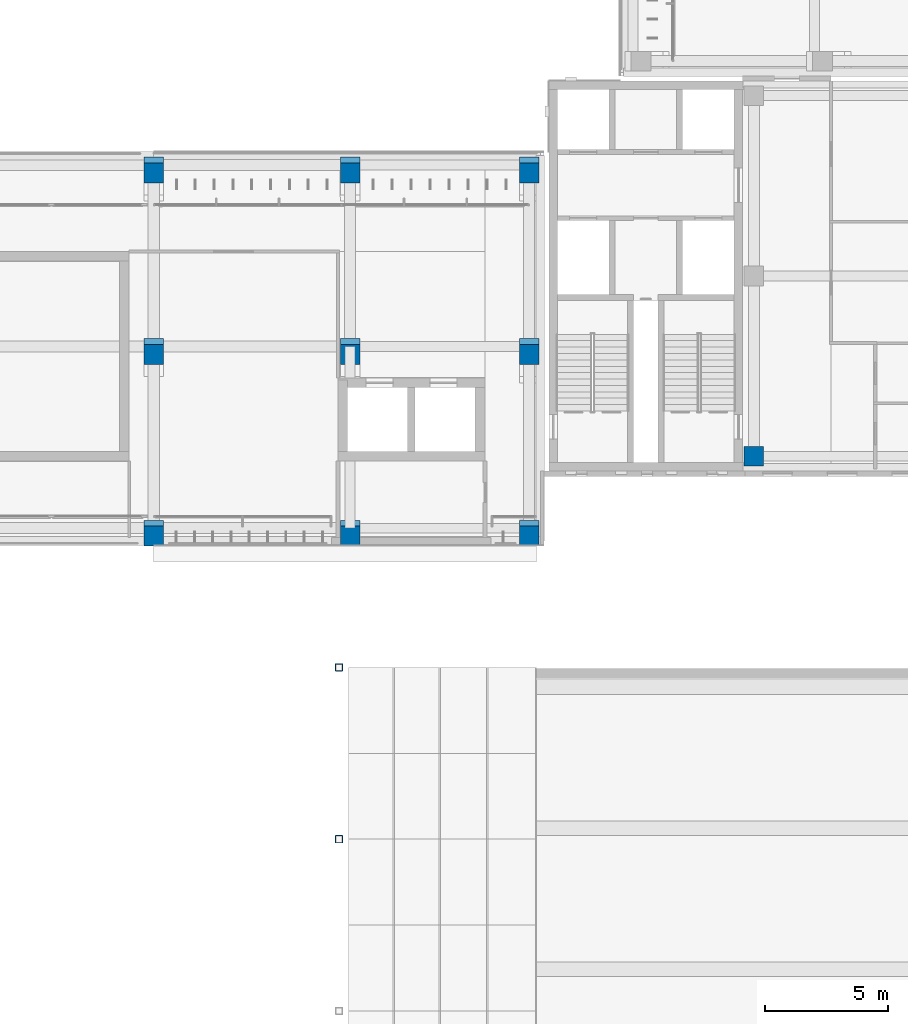
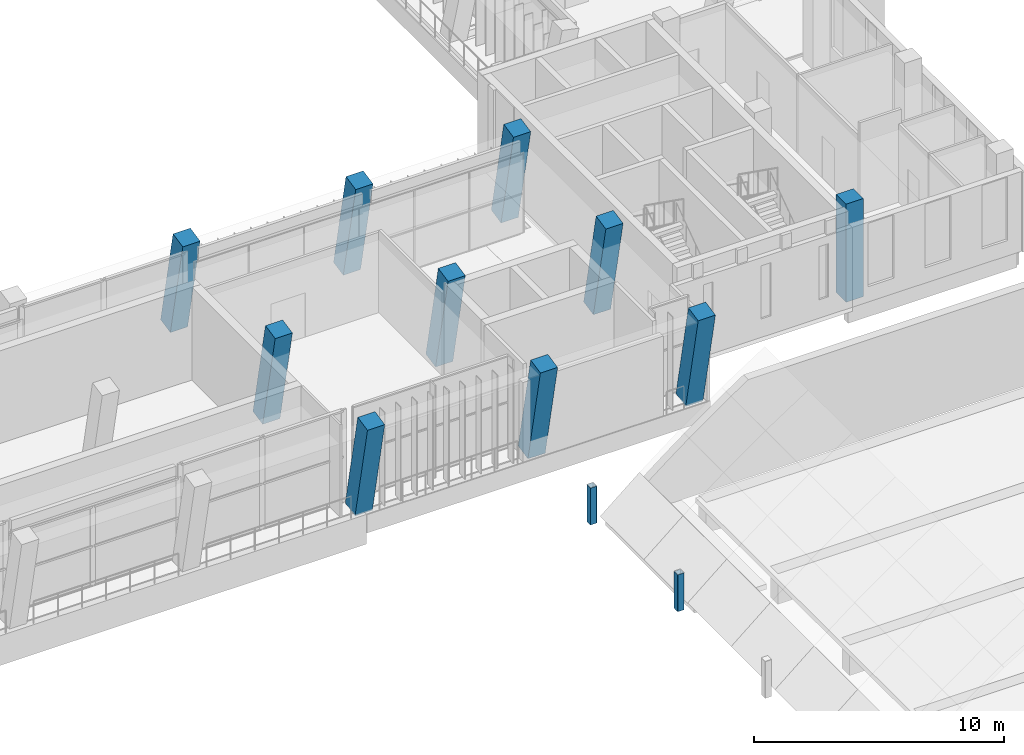
# One storey, part 7 of 89: 12 columns.
"""IFC4 building model written with IfcOpenShell, lengths in metres."""

from ifc_helpers import new_model, si_unit, direction, frame, origin, origin_2d, place, context, subcontext, project, spatial, rectangle, hollow_rectangle, extrude, material, material_profile, profile_set, type_object, element, save


model = new_model("IFC4")

# Units and contexts
model_context = context("Model", 3, precision=1e-05, world=origin(), true_north=direction((0.0, 1.0)))
body_context = subcontext(model_context, "Body", "Model", "MODEL_VIEW")
ifc_project = project(units=[si_unit("LENGTHUNIT", "METRE"), si_unit("AREAUNIT", "SQUARE_METRE"), si_unit("VOLUMEUNIT", "CUBIC_METRE"), si_unit("PLANEANGLEUNIT", "RADIAN"), si_unit("MASSUNIT", "GRAM", prefix="KILO")], contexts=[model_context])

# Site, building, storey
site_placement = place(None, origin())
site = spatial("IfcSite", under=ifc_project, at=site_placement, CompositionType="ELEMENT")
building_placement = place(site_placement, origin())
building = spatial("IfcBuilding", under=site, at=building_placement, Name="Lantern Court Media Centre", CompositionType="ELEMENT")
storey_placement = place(building_placement, frame((0.0, 0.0, 14.39990234375)))
storey = spatial("IfcBuildingStorey", under=building, at=storey_placement, Name="L03", CompositionType="ELEMENT", Elevation=14.39990234375)

# Columns
ifc_material_1 = material(Name="Concrete C35", Category="concrete")
ifc_material_profile_1 = material_profile(ifc_material_1, rectangle(XDim=0.800048828125, YDim=0.800048828125, at=origin_2d()), Name="RC 800x800")
ifc_profile_set_1 = profile_set([ifc_material_profile_1], Name="Concrete C35")
column_type_1 = type_object("IfcColumnType", Name="RC COLUMN 800x800", PredefinedType="COLUMN", material=ifc_profile_set_1)
column_placement = place(storey_placement, frame((88.449951171875, 48.60009765625, 0.0), z_axis=(0.0, 0.0, 1.0), x_axis=(1.0, 0.0, 0.0)))
element("IfcColumn", 1, at=column_placement, inside=storey, type_object=column_type_1, Name="C-SE-0-L03", PredefinedType="COLUMN", context=body_context, shape_type="SweptSolid", body=[
    extrude(rectangle(XDim=0.800048828125, YDim=0.800048828125, at=origin_2d()), origin(), (0.0, 0.0, 1.0), 4.800048828125),
])
for number, where, z_axis, x_axis, name in (
    (2, (64.0, 45.60009765625, 0.0), (0.0, -0.203952265704, 0.978980833987), (1.0, 0.0, 0.0), "C-S-0-5-L03"),
    (3, (72.0, 45.60009765625, 0.0), (0.0, -0.203952265704, 0.978980833987), (1.0, 0.0, 0.0), "C-S-0-6-L03"),
    (4, (79.300048828125, 45.60009765625, 0.0), (0.0, -0.203952265704, 0.978980833987), (1.0, 0.0, 0.0), "C-S-0-7-L03"),
    (5, (64.0, 53.0, 0.0), (0.0, -0.203952265704, 0.978980833987), (1.0, 0.0, 0.0), "C-S-1-5-L03"),
    (6, (72.0, 53.0, 0.0), (0.0, -0.203952265704, 0.978980833987), (1.0, 0.0, 0.0), "C-S-1-6-L03"),
    (7, (79.300048828125, 53.0, 0.0), (0.0, -0.203952265704, 0.978980833987), (1.0, 0.0, 0.0), "C-S-1-7-L03"),
    (8, (64.0, 60.39990234375, 0.0), (0.0, -0.203952265704, 0.978980833987), (1.0, 0.0, 0.0), "C-S-2-5-L03"),
    (9, (72.0, 60.39990234375, 0.0), (0.0, -0.203952265704, 0.978980833987), (1.0, 0.0, 0.0), "C-S-2-6-L03"),
    (10, (79.300048828125, 60.39990234375, 0.0), (0.0, -0.203952265704, 0.978980833987), (1.0, 0.0, 0.0), "C-S-2-7-L03"),
):
    element("IfcColumn", number, at=place(storey_placement, frame(where, z_axis=z_axis, x_axis=x_axis)), inside=storey, type_object=column_type_1, Name=name, PredefinedType="COLUMN", context=body_context, shape_type="SweptSolid", body=[
        extrude(rectangle(XDim=0.800048828125, YDim=0.800048828125, at=origin_2d()), origin(), (0.0, 0.0, 1.0), 4.903076171875),
    ])
ifc_material_2 = material(Name="Steel S355J2 (EN 10025-2)", Category="steel")
ifc_material_profile_2 = material_profile(ifc_material_2, hollow_rectangle(XDim=0.300048828125, YDim=0.300048828125, WallThickness=0.012451171875, InnerFilletRadius=0.012451171875, OuterFilletRadius=0.018798828125, at=origin_2d()), Name="Studio Hall buttress pinnacle SHS 300x12.5")
ifc_profile_set_2 = profile_set([ifc_material_profile_2], Name="Steel S355J2 (EN 10025-2)")
column_type_2 = type_object("IfcColumnType", Name="Studio Hall buttress pinnacle SHS 300x12.5", PredefinedType="COLUMN", material=ifc_profile_set_2)
for number, where, z_axis, x_axis, name in (
    (11, (71.5498046875, 33.0, 0.0), (0.0, 0.0, 1.0), (1.0, 0.0, 0.0), "Studio Hall pinnacle west 6"),
    (12, (71.5498046875, 40.0, 0.0), (0.0, 0.0, 1.0), (1.0, 0.0, 0.0), "Studio Hall pinnacle west 7"),
):
    element("IfcColumn", number, at=place(storey_placement, frame(where, z_axis=z_axis, x_axis=x_axis)), inside=storey, type_object=column_type_2, Name=name, PredefinedType="COLUMN", context=body_context, shape_type="SweptSolid", body=[
        extrude(hollow_rectangle(XDim=0.300048828125, YDim=0.300048828125, WallThickness=0.012451171875, InnerFilletRadius=0.012451171875, OuterFilletRadius=0.018798828125, at=origin_2d()), origin(), (0.0, 0.0, 1.0), 1.800048828125),
    ])

save(model, "model.ifc")
